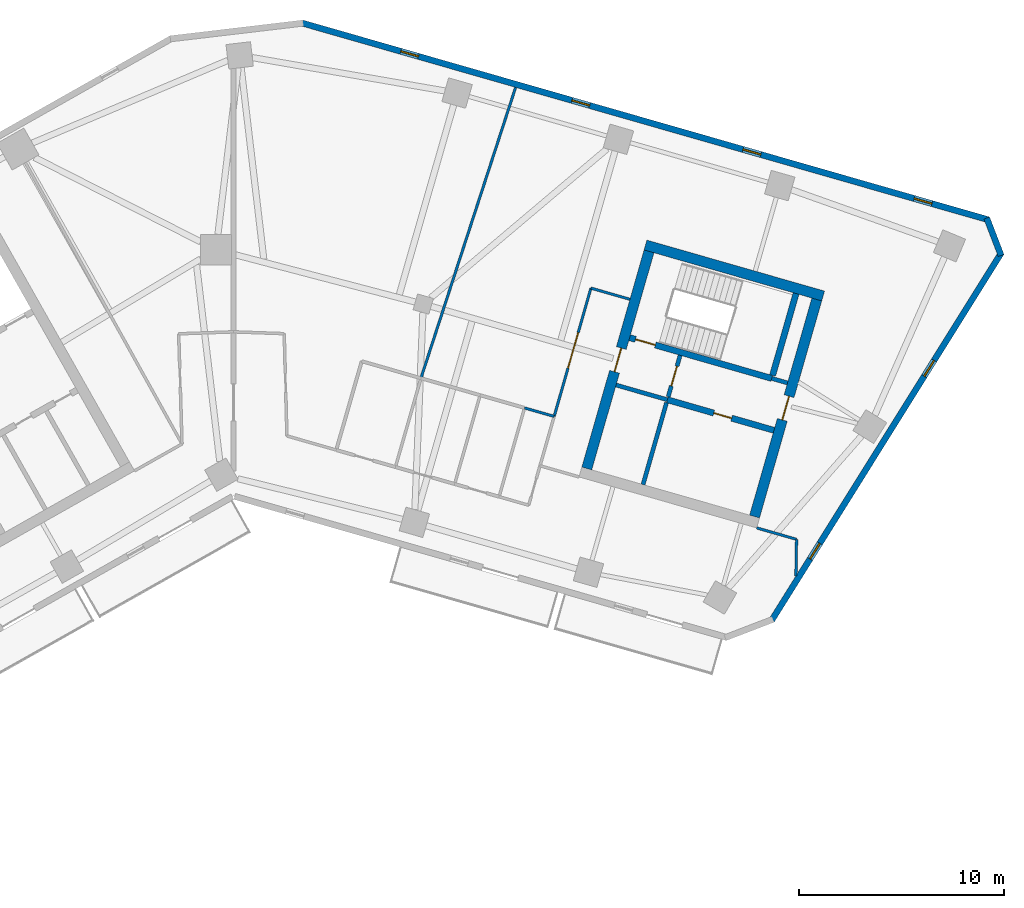
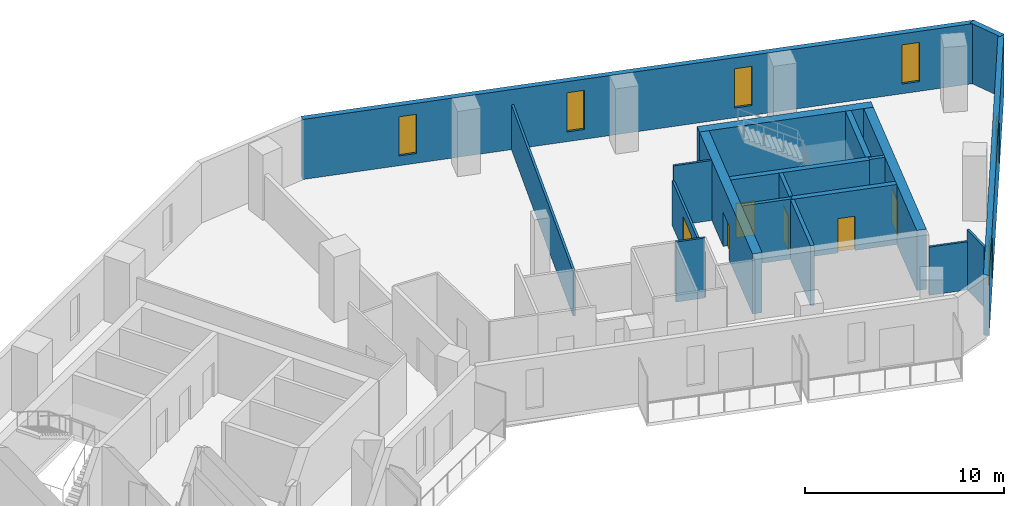
# One storey, part 6 of 9: 19 walls, 6 doors, 6 windows, 12 openings.
"""IFC4 building model written with IfcOpenShell, lengths in metres."""

from ifc_helpers import new_model, si_unit, direction, frame, frame_2d, origin, place, context, subcontext, project, spatial, rectangle, extrude, material, layer, layer_set, type_object, element, fill, save


model = new_model("IFC4")

# Units and contexts
model_context = context("Model", 3, precision=1e-05, world=origin(), true_north=direction((0.0, 1.0)))
body_context = subcontext(model_context, "Body", "Model", "MODEL_VIEW")
ifc_project = project(units=[si_unit("LENGTHUNIT", "METRE"), si_unit("AREAUNIT", "SQUARE_METRE"), si_unit("VOLUMEUNIT", "CUBIC_METRE"), si_unit("PLANEANGLEUNIT", "RADIAN"), si_unit("MASSUNIT", "GRAM", prefix="KILO")], contexts=[model_context])

# Site, building, storey
site_placement = place(None, origin())
site = spatial("IfcSite", under=ifc_project, at=site_placement, CompositionType="ELEMENT")
building_placement = place(site_placement, origin())
building = spatial("IfcBuilding", under=site, at=building_placement, Name="Binnacle Exchange Tower", CompositionType="ELEMENT")
storey_placement = place(building_placement, frame((0.0, 0.0, 190.89990234375)))
storey = spatial("IfcBuildingStorey", under=building, at=storey_placement, Name="L41", CompositionType="ELEMENT", Elevation=190.89990234375)

# Wall, opening, door
ifc_material_1 = material(Name="Concrete C70/85", Category="concrete")
ifc_layer_1 = layer(ifc_material_1, 0.300048828125)
ifc_layer_set_1 = layer_set([ifc_layer_1], Name="Core wall - front 300")
wall_type_1 = type_object("IfcWallType", Name="Core wall - front 300", PredefinedType="SOLIDWALL", material=ifc_layer_set_1)
wall_1_placement = place(storey_placement, frame((21.130859375, 52.6923828125, 0.0), z_axis=(0.0, 0.0, 1.0), x_axis=(0.961271043721, -0.27560475414, 0.0)))
wall_1 = element("IfcWall", 1, at=wall_1_placement, inside=storey, type_object=wall_type_1, Name="Core wall CRWD3", PredefinedType="SOLIDWALL", context=body_context, shape_type="SweptSolid", body=[
    extrude(rectangle(XDim=5.400146484375, YDim=0.300048828125, at=frame_2d((2.7001953125, 0.0))), origin(), (0.0, 0.0, 1.0), 3.68017578125),
])
opening_1_placement = place(wall_1_placement, frame((2.35009765625, 0.0, 0.0)))
opening_1 = element("IfcOpeningElement", 2, at=opening_1_placement, cuts=wall_1, Name="Opening DD10", PredefinedType="OPENING", context=body_context, shape_type="SweptSolid", body=[
    extrude(rectangle(XDim=0.89990234375, YDim=2.10009765625, at=frame_2d((0.449951171875, 1.050048828125))), frame((0.0, 0.159912109375, 0.0), z_axis=(0.0, -1.0, 0.0), x_axis=(1.0, 0.0, 0.0)), (0.0, 0.0, 1.0), 0.320068359375),
])
ifc_material_2 = material(Name="Steel door leaf", Category="steel")
door_type_1 = type_object("IfcDoorType", Name="Fire door 900", OperationType="NOTDEFINED", PredefinedType="DOOR", material=ifc_material_2)
door_1_placement = place(opening_1_placement, frame((0.89990234375, 0.0, 0.0), z_axis=(0.0, 0.0, 1.0), x_axis=(-1.0, 0.0, 0.0)))
door_1 = element("IfcDoor", 3, at=door_1_placement, inside=storey, type_object=door_type_1, Name="Core room door TELECOM RISER ROOM", OperationType="SINGLE_SWING_LEFT", OverallHeight=2.10009765625, OverallWidth=0.89990234375, PredefinedType="DOOR", context=body_context, shape_type="SweptSolid", body=[
    extrude(rectangle(XDim=0.89990234375, YDim=2.10009765625, at=frame_2d((0.449951171875, 1.050048828125))), frame((0.0, 0.02490234375, 0.0), z_axis=(0.0, -1.0, 0.0), x_axis=(1.0, 0.0, 0.0)), (0.0, 0.0, 1.0), 0.050048828125),
])
fill(opening_1, door_1)

# Wall
ifc_layer_2 = layer(ifc_material_1, 0.5)
ifc_layer_set_2 = layer_set([ifc_layer_2], Name="Core wall - outer 500")
wall_type_2 = type_object("IfcWallType", Name="Core wall - outer 500", PredefinedType="SOLIDWALL", material=ifc_layer_set_2)
wall_2_placement = place(storey_placement, frame((20.066650390625, 60.227783203125, 0.0), z_axis=(0.0, 0.0, 1.0), x_axis=(0.96126248289, -0.275634611374, 0.0)))
element("IfcWall", 4, at=wall_2_placement, inside=storey, type_object=wall_type_2, Name="Core wall CRWD6", PredefinedType="SOLIDWALL", context=body_context, shape_type="SweptSolid", body=[
    extrude(rectangle(XDim=9.0, YDim=0.5, at=frame_2d((4.5, 0.0))), origin(), (0.0, 0.0, 1.0), 3.68017578125),
])

# Wall, opening, door
wall_3_placement = place(storey_placement, frame((17.2060546875, 49.344482421875, 0.0), z_axis=(0.0, 0.0, 1.0), x_axis=(0.275632651182, 0.961263044958, 0.0)))
wall_3 = element("IfcWall", 5, at=wall_3_placement, inside=storey, type_object=wall_type_2, Name="Core wall CRWD7", PredefinedType="SOLIDWALL", context=body_context, shape_type="SweptSolid", body=[
    extrude(rectangle(XDim=11.0, YDim=0.5, at=frame_2d((5.5, 0.0))), origin(), (0.0, 0.0, 1.0), 3.68017578125),
])
opening_2_placement = place(wall_3_placement, frame((4.89990234375, 0.0, 0.0)))
opening_2 = element("IfcOpeningElement", 6, at=opening_2_placement, cuts=wall_3, Name="Opening DD5", PredefinedType="OPENING", context=body_context, shape_type="SweptSolid", body=[
    extrude(rectangle(XDim=1.199951171875, YDim=2.10009765625, at=frame_2d((0.60009765625, 1.050048828125))), frame((0.0, 0.260009765625, 0.0), z_axis=(0.0, -1.0, 0.0), x_axis=(1.0, 0.0, 0.0)), (0.0, 0.0, 1.0), 0.52001953125),
])
door_type_2 = type_object("IfcDoorType", Name="Fire door 1200", OperationType="NOTDEFINED", PredefinedType="DOOR", material=ifc_material_2)
door_2_placement = place(opening_2_placement, origin())
door_2 = element("IfcDoor", 7, at=door_2_placement, inside=storey, type_object=door_type_2, Name="Vestibule exit door VEST-W", OperationType="SINGLE_SWING_LEFT", OverallHeight=2.10009765625, OverallWidth=1.199951171875, PredefinedType="DOOR", context=body_context, shape_type="SweptSolid", body=[
    extrude(rectangle(XDim=1.199951171875, YDim=2.10009765625, at=frame_2d((0.60009765625, 1.050048828125))), frame((0.0, 0.02490234375, 0.0), z_axis=(0.0, -1.0, 0.0), x_axis=(1.0, 0.0, 0.0)), (0.0, 0.0, 1.0), 0.050048828125),
])
fill(opening_2, door_2)

wall_4_placement = place(storey_placement, frame((25.376708984375, 47.001708984375, 0.0), z_axis=(0.0, 0.0, 1.0), x_axis=(0.275632651182, 0.961263044958, 0.0)))
wall_4 = element("IfcWall", 8, at=wall_4_placement, inside=storey, type_object=wall_type_2, Name="Core wall CRWD12", PredefinedType="SOLIDWALL", context=body_context, shape_type="SweptSolid", body=[
    extrude(rectangle(XDim=11.0, YDim=0.5, at=frame_2d((5.5, 0.0))), origin(), (0.0, 0.0, 1.0), 3.68017578125),
])
opening_3_placement = place(wall_4_placement, frame((4.89990234375, 0.0, 0.0)))
opening_3 = element("IfcOpeningElement", 9, at=opening_3_placement, cuts=wall_4, Name="Opening DD6", PredefinedType="OPENING", context=body_context, shape_type="SweptSolid", body=[
    extrude(rectangle(XDim=1.199951171875, YDim=2.10009765625, at=frame_2d((0.60009765625, 1.050048828125))), frame((0.0, 0.260009765625, 0.0), z_axis=(0.0, -1.0, 0.0), x_axis=(1.0, 0.0, 0.0)), (0.0, 0.0, 1.0), 0.52001953125),
])
door_3_placement = place(opening_3_placement, frame((1.199951171875, 0.0, 0.0), z_axis=(0.0, 0.0, 1.0), x_axis=(-1.0, 0.0, 0.0)))
door_3 = element("IfcDoor", 10, at=door_3_placement, inside=storey, type_object=door_type_2, Name="Core passage exit door", OperationType="SINGLE_SWING_RIGHT", OverallHeight=2.10009765625, OverallWidth=1.199951171875, PredefinedType="DOOR", context=body_context, shape_type="SweptSolid", body=[
    extrude(rectangle(XDim=1.199951171875, YDim=2.10009765625, at=frame_2d((0.60009765625, 1.050048828125))), frame((0.0, 0.02490234375, 0.0), z_axis=(0.0, -1.0, 0.0), x_axis=(1.0, 0.0, 0.0)), (0.0, 0.0, 1.0), 0.050048828125),
])
fill(opening_3, door_3)

ifc_layer_3 = layer(ifc_material_1, 0.300048828125)
ifc_layer_set_3 = layer_set([ifc_layer_3], Name="Core wall - stair 300")
wall_type_3 = type_object("IfcWallType", Name="Core wall - stair 300", PredefinedType="SOLIDWALL", material=ifc_layer_set_3)
wall_5_placement = place(storey_placement, frame((19.293212890625, 55.71630859375, 0.0), z_axis=(0.0, 0.0, 1.0), x_axis=(0.96125862491, -0.275648065539, 0.0)))
wall_5 = element("IfcWall", 11, at=wall_5_placement, inside=storey, type_object=wall_type_3, Name="Core wall CRWD4", PredefinedType="SOLIDWALL", context=body_context, shape_type="SweptSolid", body=[
    extrude(rectangle(XDim=7.199951171875, YDim=0.300048828125, at=frame_2d((3.60009765625, 0.0))), origin(), (0.0, 0.0, 1.0), 3.68017578125),
])
opening_4_placement = place(wall_5_placement, frame((0.300048828125, 0.0, 0.0)))
opening_4 = element("IfcOpeningElement", 12, at=opening_4_placement, cuts=wall_5, Name="Opening DD1", PredefinedType="OPENING", context=body_context, shape_type="SweptSolid", body=[
    extrude(rectangle(XDim=1.0, YDim=2.10009765625, at=frame_2d((0.5, 1.050048828125))), frame((0.0, 0.159912109375, 0.0), z_axis=(0.0, -1.0, 0.0), x_axis=(1.0, 0.0, 0.0)), (0.0, 0.0, 1.0), 0.320068359375),
])
door_type_3 = type_object("IfcDoorType", Name="Fire door 1000", OperationType="NOTDEFINED", PredefinedType="DOOR", material=ifc_material_2)
door_4_placement = place(opening_4_placement, origin())
door_4 = element("IfcDoor", 13, at=door_4_placement, inside=storey, type_object=door_type_3, Name="Stair door ST-D1", OperationType="SINGLE_SWING_LEFT", OverallHeight=2.10009765625, OverallWidth=1.0, PredefinedType="DOOR", context=body_context, shape_type="SweptSolid", body=[
    extrude(rectangle(XDim=1.0, YDim=2.10009765625, at=frame_2d((0.5, 1.050048828125))), frame((0.0, 0.02490234375, 0.0), z_axis=(0.0, -1.0, 0.0), x_axis=(1.0, 0.0, 0.0)), (0.0, 0.0, 1.0), 0.050048828125),
])
fill(opening_4, door_4)

# Wall
wall_6_placement = place(storey_placement, frame((26.255615234375, 53.875732421875, 0.0), z_axis=(0.0, 0.0, 1.0), x_axis=(0.275614546295, 0.961268236171, 0.0)))
element("IfcWall", 14, at=wall_6_placement, inside=storey, type_object=wall_type_3, Name="Core wall CRWD11", PredefinedType="SOLIDWALL", context=body_context, shape_type="SweptSolid", body=[
    extrude(rectangle(XDim=4.14990234375, YDim=0.300048828125, at=frame_2d((2.074951171875, 0.0))), origin(), (0.0, 0.0, 1.0), 3.68017578125),
])

# Wall, openings, windows
ifc_material_3 = material(Name="Bronze aluminium cladding", Category="aluminium")
ifc_layer_4 = layer(ifc_material_3, 0.300048828125)
ifc_layer_set_4 = layer_set([ifc_layer_4], Name="External wall - spandrel 300")
wall_type_4 = type_object("IfcWallType", Name="External wall - spandrel 300", PredefinedType="STANDARD", material=ifc_layer_set_4)
wall_7_placement = place(storey_placement, frame((37.39892578125, 59.850830078125, 0.0), z_axis=(0.0, 0.0, 1.0), x_axis=(-0.529919986982, -0.848047644532, 0.0)))
wall_7 = element("IfcWall", 15, at=wall_7_placement, inside=storey, type_object=wall_type_4, Name="External wall EW-G04 L41", PredefinedType="STANDARD", context=body_context, shape_type="SweptSolid", body=[
    extrude(rectangle(XDim=21.125, YDim=0.300048828125, at=frame_2d((10.5625, 0.0))), origin(), (0.0, 0.0, 1.0), 3.68017578125),
])
opening_5_placement = place(wall_7_placement, frame((16.687255859375, 0.0, 0.60009765625)))
opening_5 = element("IfcOpeningElement", 16, at=opening_5_placement, cuts=wall_7, Name="Opening WS3", PredefinedType="OPENING", context=body_context, shape_type="SweptSolid", body=[
    extrude(rectangle(XDim=0.89990234375, YDim=2.39990234375, at=frame_2d((0.449951171875, 1.199951171875))), frame((0.0, 0.159912109375, 0.0), z_axis=(0.0, -1.0, 0.0), x_axis=(1.0, 0.0, 0.0)), (0.0, 0.0, 1.0), 0.320068359375),
])
opening_6_placement = place(wall_7_placement, frame((6.187255859375, 0.0, 0.60009765625)))
opening_6 = element("IfcOpeningElement", 17, at=opening_6_placement, cuts=wall_7, Name="Opening WS3", PredefinedType="OPENING", context=body_context, shape_type="SweptSolid", body=[
    extrude(rectangle(XDim=0.89990234375, YDim=2.39990234375, at=frame_2d((0.449951171875, 1.199951171875))), frame((0.0, 0.159912109375, 0.0), z_axis=(0.0, -1.0, 0.0), x_axis=(1.0, 0.0, 0.0)), (0.0, 0.0, 1.0), 0.320068359375),
])
ifc_material_4 = material(Name="Bronze anodised aluminium frame", Category="aluminium")
window_type = type_object("IfcWindowType", Name="WS3 WINDOW 900x2400", PartitioningType="SINGLE_PANEL", PredefinedType="WINDOW", material=ifc_material_4)
window_1_placement = place(opening_5_placement, origin())
window_1 = element("IfcWindow", 18, at=window_1_placement, inside=storey, type_object=window_type, Name="Window WS3 L41", OverallHeight=2.39990234375, OverallWidth=0.89990234375, PartitioningType="SINGLE_PANEL", PredefinedType="WINDOW", context=body_context, shape_type="SweptSolid", body=[
    extrude(rectangle(XDim=0.89990234375, YDim=2.39990234375, at=frame_2d((0.449951171875, 1.199951171875))), frame((0.0, 0.030029296875, 0.0), z_axis=(0.0, -1.0, 0.0), x_axis=(1.0, 0.0, 0.0)), (0.0, 0.0, 1.0), 0.06005859375),
])
fill(opening_5, window_1)
window_2_placement = place(opening_6_placement, origin())
window_2 = element("IfcWindow", 19, at=window_2_placement, inside=storey, type_object=window_type, Name="Window WS3 L41", OverallHeight=2.39990234375, OverallWidth=0.89990234375, PartitioningType="SINGLE_PANEL", PredefinedType="WINDOW", context=body_context, shape_type="SweptSolid", body=[
    extrude(rectangle(XDim=0.89990234375, YDim=2.39990234375, at=frame_2d((0.449951171875, 1.199951171875))), frame((0.0, 0.030029296875, 0.0), z_axis=(0.0, -1.0, 0.0), x_axis=(1.0, 0.0, 0.0)), (0.0, 0.0, 1.0), 0.06005859375),
])
fill(opening_6, window_2)

# Wall
wall_8_placement = place(storey_placement, frame((36.685546875, 61.542724609375, 0.0), z_axis=(0.0, 0.0, 1.0), x_axis=(0.358284408222, -0.933612490718, 0.0)))
element("IfcWall", 20, at=wall_8_placement, inside=storey, type_object=wall_type_4, Name="External wall EW-G05 L41", PredefinedType="STANDARD", context=body_context, shape_type="SweptSolid", body=[
    extrude(rectangle(XDim=1.955078125, YDim=0.300048828125, at=frame_2d((0.9775390625, 0.0))), origin(), (0.0, 0.0, 1.0), 3.68017578125),
])

# Wall, openings, windows
wall_9_placement = place(storey_placement, frame((3.33544921875, 71.043701171875, 0.0), z_axis=(0.0, 0.0, 1.0), x_axis=(0.961261395375, -0.275638404002, 0.0)))
wall_9 = element("IfcWall", 21, at=wall_9_placement, inside=storey, type_object=wall_type_4, Name="External wall EW-G06 L41", PredefinedType="STANDARD", context=body_context, shape_type="SweptSolid", body=[
    extrude(rectangle(XDim=34.796630859375, YDim=0.300048828125, at=frame_2d((17.3984375, 0.0))), origin(), (0.0, 0.0, 1.0), 3.68017578125),
])
opening_7_placement = place(wall_9_placement, frame((31.01953125, 0.0, 0.60009765625)))
opening_7 = element("IfcOpeningElement", 22, at=opening_7_placement, cuts=wall_9, Name="Opening WS3", PredefinedType="OPENING", context=body_context, shape_type="SweptSolid", body=[
    extrude(rectangle(XDim=0.89990234375, YDim=2.39990234375, at=frame_2d((0.449951171875, 1.199951171875))), frame((0.0, 0.159912109375, 0.0), z_axis=(0.0, -1.0, 0.0), x_axis=(1.0, 0.0, 0.0)), (0.0, 0.0, 1.0), 0.320068359375),
])
opening_8_placement = place(wall_9_placement, frame((22.3466796875, 0.0, 0.60009765625)))
opening_8 = element("IfcOpeningElement", 23, at=opening_8_placement, cuts=wall_9, Name="Opening WS3", PredefinedType="OPENING", context=body_context, shape_type="SweptSolid", body=[
    extrude(rectangle(XDim=0.89990234375, YDim=2.39990234375, at=frame_2d((0.449951171875, 1.199951171875))), frame((0.0, 0.159912109375, 0.0), z_axis=(0.0, -1.0, 0.0), x_axis=(1.0, 0.0, 0.0)), (0.0, 0.0, 1.0), 0.320068359375),
])
opening_9_placement = place(wall_9_placement, frame((13.673583984375, 0.0, 0.60009765625)))
opening_9 = element("IfcOpeningElement", 24, at=opening_9_placement, cuts=wall_9, Name="Opening WS3", PredefinedType="OPENING", context=body_context, shape_type="SweptSolid", body=[
    extrude(rectangle(XDim=0.89990234375, YDim=2.39990234375, at=frame_2d((0.449951171875, 1.199951171875))), frame((0.0, 0.159912109375, 0.0), z_axis=(0.0, -1.0, 0.0), x_axis=(1.0, 0.0, 0.0)), (0.0, 0.0, 1.0), 0.320068359375),
])
opening_10_placement = place(wall_9_placement, frame((5.000732421875, 0.0, 0.60009765625)))
opening_10 = element("IfcOpeningElement", 25, at=opening_10_placement, cuts=wall_9, Name="Opening WS3", PredefinedType="OPENING", context=body_context, shape_type="SweptSolid", body=[
    extrude(rectangle(XDim=0.89990234375, YDim=2.39990234375, at=frame_2d((0.449951171875, 1.199951171875))), frame((0.0, 0.159912109375, 0.0), z_axis=(0.0, -1.0, 0.0), x_axis=(1.0, 0.0, 0.0)), (0.0, 0.0, 1.0), 0.320068359375),
])
window_3_placement = place(opening_7_placement, origin())
window_3 = element("IfcWindow", 26, at=window_3_placement, inside=storey, type_object=window_type, Name="Window WS3 L41", OverallHeight=2.39990234375, OverallWidth=0.89990234375, PartitioningType="SINGLE_PANEL", PredefinedType="WINDOW", context=body_context, shape_type="SweptSolid", body=[
    extrude(rectangle(XDim=0.89990234375, YDim=2.39990234375, at=frame_2d((0.449951171875, 1.199951171875))), frame((0.0, 0.030029296875, 0.0), z_axis=(0.0, -1.0, 0.0), x_axis=(1.0, 0.0, 0.0)), (0.0, 0.0, 1.0), 0.06005859375),
])
fill(opening_7, window_3)
window_4_placement = place(opening_8_placement, origin())
window_4 = element("IfcWindow", 27, at=window_4_placement, inside=storey, type_object=window_type, Name="Window WS3 L41", OverallHeight=2.39990234375, OverallWidth=0.89990234375, PartitioningType="SINGLE_PANEL", PredefinedType="WINDOW", context=body_context, shape_type="SweptSolid", body=[
    extrude(rectangle(XDim=0.89990234375, YDim=2.39990234375, at=frame_2d((0.449951171875, 1.199951171875))), frame((0.0, 0.030029296875, 0.0), z_axis=(0.0, -1.0, 0.0), x_axis=(1.0, 0.0, 0.0)), (0.0, 0.0, 1.0), 0.06005859375),
])
fill(opening_8, window_4)
window_5_placement = place(opening_9_placement, origin())
window_5 = element("IfcWindow", 28, at=window_5_placement, inside=storey, type_object=window_type, Name="Window WS3 L41", OverallHeight=2.39990234375, OverallWidth=0.89990234375, PartitioningType="SINGLE_PANEL", PredefinedType="WINDOW", context=body_context, shape_type="SweptSolid", body=[
    extrude(rectangle(XDim=0.89990234375, YDim=2.39990234375, at=frame_2d((0.449951171875, 1.199951171875))), frame((0.0, 0.030029296875, 0.0), z_axis=(0.0, -1.0, 0.0), x_axis=(1.0, 0.0, 0.0)), (0.0, 0.0, 1.0), 0.06005859375),
])
fill(opening_9, window_5)
window_6_placement = place(opening_10_placement, origin())
window_6 = element("IfcWindow", 29, at=window_6_placement, inside=storey, type_object=window_type, Name="Window WS3 L41", OverallHeight=2.39990234375, OverallWidth=0.89990234375, PartitioningType="SINGLE_PANEL", PredefinedType="WINDOW", context=body_context, shape_type="SweptSolid", body=[
    extrude(rectangle(XDim=0.89990234375, YDim=2.39990234375, at=frame_2d((0.449951171875, 1.199951171875))), frame((0.0, 0.030029296875, 0.0), z_axis=(0.0, -1.0, 0.0), x_axis=(1.0, 0.0, 0.0)), (0.0, 0.0, 1.0), 0.06005859375),
])
fill(opening_10, window_6)

# Wall, opening, door
ifc_material_5 = material(Name="Masonry block wall", Category="masonry")
ifc_layer_5 = layer(ifc_material_5, 0.199951171875)
ifc_layer_set_5 = layer_set([ifc_layer_5], Name="Fire wall - vestibule 200")
wall_type_5 = type_object("IfcWallType", Name="Fire wall - vestibule 200", PredefinedType="PARTITIONING", material=ifc_layer_set_5)
wall_10_placement = place(storey_placement, frame((21.172119140625, 52.836669921875, 0.0), z_axis=(0.0, 0.0, 1.0), x_axis=(0.275657676022, 0.961255868981, 0.0)))
wall_10 = element("IfcWall", 30, at=wall_10_placement, inside=storey, type_object=wall_type_5, Name="Core wall CRWD9", PredefinedType="PARTITIONING", context=body_context, shape_type="SweptSolid", body=[
    extrude(rectangle(XDim=2.099853515625, YDim=0.199951171875, at=frame_2d((1.0498046875, 0.0))), origin(), (0.0, 0.0, 1.0), 3.68017578125),
])
opening_11_placement = place(wall_10_placement, frame((0.550048828125, 0.0, 0.0)))
opening_11 = element("IfcOpeningElement", 31, at=opening_11_placement, cuts=wall_10, Name="Opening DD3", PredefinedType="OPENING", context=body_context, shape_type="SweptSolid", body=[
    extrude(rectangle(XDim=1.0, YDim=2.10009765625, at=frame_2d((0.5, 1.050048828125))), frame((0.0, 0.10986328125, 0.0), z_axis=(0.0, -1.0, 0.0), x_axis=(1.0, 0.0, 0.0)), (0.0, 0.0, 1.0), 0.219970703125),
])
door_5_placement = place(opening_11_placement, origin())
door_5 = element("IfcDoor", 32, at=door_5_placement, inside=storey, type_object=door_type_3, Name="Vestibule door VEST-W", OperationType="SINGLE_SWING_RIGHT", OverallHeight=2.10009765625, OverallWidth=1.0, PredefinedType="DOOR", context=body_context, shape_type="SweptSolid", body=[
    extrude(rectangle(XDim=1.0, YDim=2.10009765625, at=frame_2d((0.5, 1.050048828125))), frame((0.0, 0.02490234375, 0.0), z_axis=(0.0, -1.0, 0.0), x_axis=(1.0, 0.0, 0.0)), (0.0, 0.0, 1.0), 0.050048828125),
])
fill(opening_11, door_5)

# Walls
ifc_material_6 = material(Name="Gypsum partition")
ifc_layer_6 = layer(ifc_material_6, 0.125)
ifc_layer_set_6 = layer_set([ifc_layer_6], Name="Partition 125")
wall_type_6 = type_object("IfcWallType", Name="Partition 125", PredefinedType="PARTITIONING", material=ifc_layer_set_6)
wall_11_placement = place(storey_placement, frame((9.12890625, 53.740966796875, 0.0), z_axis=(0.0, 0.0, 1.0), x_axis=(0.309576741849, 0.950874461171, 0.0)))
element("IfcWall", 33, at=wall_11_placement, inside=storey, type_object=wall_type_6, Name="Partition W19", PredefinedType="PARTITIONING", context=body_context, shape_type="SweptSolid", body=[
    extrude(rectangle(XDim=14.894775390625, YDim=0.125, at=frame_2d((7.447265625, 0.0))), origin(), (0.0, 0.0, 1.0), 2.748046875),
])
wall_12_placement = place(storey_placement, frame((14.175048828125, 52.2939453125, 0.0), z_axis=(0.0, 0.0, 1.0), x_axis=(0.961370232732, -0.275258561387, 0.0)))
element("IfcWall", 34, at=wall_12_placement, inside=storey, type_object=wall_type_6, Name="Partition W25", PredefinedType="PARTITIONING", context=body_context, shape_type="SweptSolid", body=[
    extrude(rectangle(XDim=1.499755859375, YDim=0.125, at=frame_2d((0.75, 0.0))), origin(), (0.0, 0.0, 1.0), 3.68017578125),
])

# Wall, opening, door
wall_13_placement = place(storey_placement, frame((15.616943359375, 51.881103515625, 0.0), z_axis=(0.0, 0.0, 1.0), x_axis=(0.275703259795, 0.961242795832, 0.0)))
wall_13 = element("IfcWall", 35, at=wall_13_placement, inside=storey, type_object=wall_type_6, Name="Partition W29", PredefinedType="PARTITIONING", context=body_context, shape_type="SweptSolid", body=[
    extrude(rectangle(XDim=6.499755859375, YDim=0.125, at=frame_2d((3.25, 0.0))), origin(), (0.0, 0.0, 1.0), 2.748046875),
])
opening_12_placement = place(wall_13_placement, frame((2.449951171875, 0.0, 0.0)))
opening_12 = element("IfcOpeningElement", 36, at=opening_12_placement, cuts=wall_13, Name="Opening DL41-08", PredefinedType="OPENING", context=body_context, shape_type="SweptSolid", body=[
    extrude(rectangle(XDim=1.800048828125, YDim=2.10009765625, at=frame_2d((0.89990234375, 1.050048828125))), frame((0.0, 0.072509765625, 0.0), z_axis=(0.0, -1.0, 0.0), x_axis=(1.0, 0.0, 0.0)), (0.0, 0.0, 1.0), 0.14501953125),
])
ifc_material_7 = material(Name="Timber door leaf", Category="wood")
door_type_4 = type_object("IfcDoorType", Name="Double door 1800", OperationType="NOTDEFINED", PredefinedType="DOOR", material=ifc_material_7)
door_6_placement = place(opening_12_placement, origin())
door_6 = element("IfcDoor", 37, at=door_6_placement, inside=storey, type_object=door_type_4, Name="Door DL41-08", OperationType="DOUBLE_DOOR_SINGLE_SWING", OverallHeight=2.10009765625, OverallWidth=1.800048828125, PredefinedType="DOOR", context=body_context, shape_type="SweptSolid", body=[
    extrude(rectangle(XDim=1.800048828125, YDim=2.10009765625, at=frame_2d((0.89990234375, 1.050048828125))), frame((0.0, 0.02490234375, 0.0), z_axis=(0.0, -1.0, 0.0), x_axis=(1.0, 0.0, 0.0)), (0.0, 0.0, 1.0), 0.050048828125),
])
fill(opening_12, door_6)

# Walls
wall_14_placement = place(storey_placement, frame((17.408935546875, 58.12890625, 0.0), z_axis=(0.0, 0.0, 1.0), x_axis=(0.961253165474, -0.275667103345, 0.0)))
element("IfcWall", 38, at=wall_14_placement, inside=storey, type_object=wall_type_6, Name="Partition W30", PredefinedType="PARTITIONING", context=body_context, shape_type="SweptSolid", body=[
    extrude(rectangle(XDim=1.976806640625, YDim=0.125, at=frame_2d((0.98828125, 0.0))), origin(), (0.0, 0.0, 1.0), 3.68017578125),
])
wall_15_placement = place(storey_placement, frame((25.47900390625, 46.451904296875, 0.0), z_axis=(0.0, 0.0, 1.0), x_axis=(0.961245725795, -0.275693044238, 0.0)))
element("IfcWall", 39, at=wall_15_placement, inside=storey, type_object=wall_type_6, Name="Partition W31", PredefinedType="PARTITIONING", context=body_context, shape_type="SweptSolid", body=[
    extrude(rectangle(XDim=2.0234375, YDim=0.125, at=frame_2d((1.01171875, 0.0))), origin(), (0.0, 0.0, 1.0), 2.9521484375),
])
wall_16_placement = place(storey_placement, frame((27.39111328125, 44.116943359375, 0.0), z_axis=(0.0, 0.0, 1.0), x_axis=(0.018543314717, 0.999828057958, 0.0)))
element("IfcWall", 40, at=wall_16_placement, inside=storey, type_object=wall_type_6, Name="Partition W32", PredefinedType="PARTITIONING", context=body_context, shape_type="SweptSolid", body=[
    extrude(rectangle(XDim=1.77734375, YDim=0.125, at=frame_2d((0.888671875, 0.0))), origin(), (0.0, 0.0, 1.0), 3.68017578125),
])
ifc_layer_7 = layer(ifc_material_5, 0.199951171875)
ifc_layer_set_7 = layer_set([ifc_layer_7], Name="Riser wall 200")
wall_type_7 = type_object("IfcWallType", Name="Riser wall 200", PredefinedType="SOLIDWALL", material=ifc_layer_set_7)
wall_17_placement = place(storey_placement, frame((18.631591796875, 53.4091796875, 0.0), z_axis=(0.0, 0.0, 1.0), x_axis=(0.961247078216, -0.275688328772, 0.0)))
element("IfcWall", 41, at=wall_17_placement, inside=storey, type_object=wall_type_7, Name="Core wall CRWD2", PredefinedType="SOLIDWALL", context=body_context, shape_type="SweptSolid", body=[
    extrude(rectangle(XDim=2.60009765625, YDim=0.199951171875, at=frame_2d((1.300048828125, 0.0))), origin(), (0.0, 0.0, 1.0), 3.68017578125),
])
wall_18_placement = place(storey_placement, frame((26.214111328125, 53.731689453125, 0.0), z_axis=(0.0, 0.0, 1.0), x_axis=(0.961200870072, -0.275849392554, 0.0)))
element("IfcWall", 42, at=wall_18_placement, inside=storey, type_object=wall_type_7, Name="Core wall CRWD5", PredefinedType="SOLIDWALL", context=body_context, shape_type="SweptSolid", body=[
    extrude(rectangle(XDim=0.800048828125, YDim=0.199951171875, at=frame_2d((0.39990234375, 0.0))), origin(), (0.0, 0.0, 1.0), 3.68017578125),
])
wall_19_placement = place(storey_placement, frame((19.945556640625, 48.55908203125, 0.0), z_axis=(0.0, 0.0, 1.0), x_axis=(0.275668905258, 0.961252648721, 0.0)))
element("IfcWall", 43, at=wall_19_placement, inside=storey, type_object=wall_type_7, Name="Core wall CRWD8", PredefinedType="SOLIDWALL", context=body_context, shape_type="SweptSolid", body=[
    extrude(rectangle(XDim=4.150146484375, YDim=0.199951171875, at=frame_2d((2.0751953125, 0.0))), origin(), (0.0, 0.0, 1.0), 3.68017578125),
])

save(model, "model.ifc")
